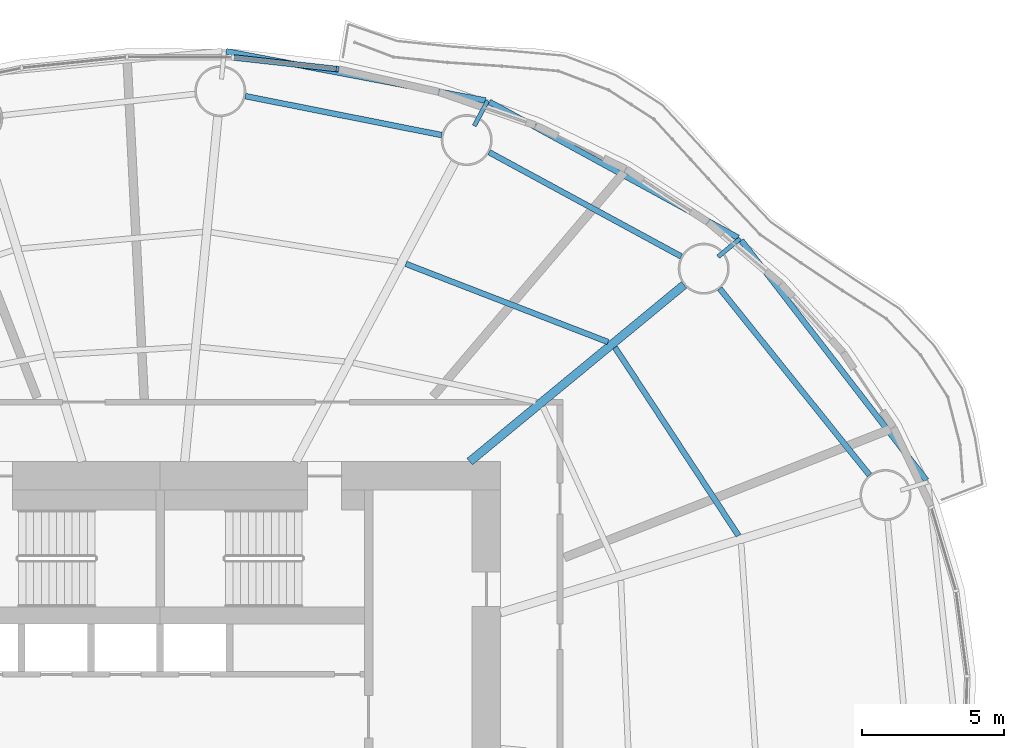
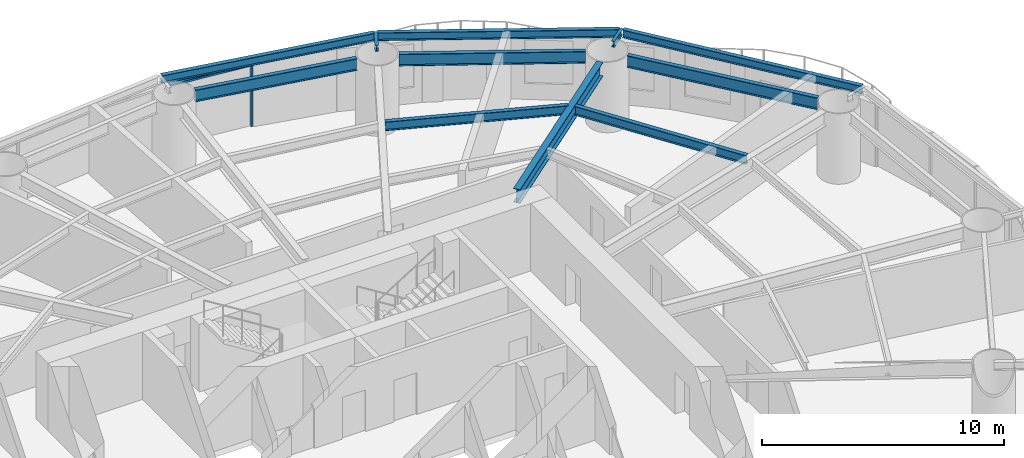
# One storey, part 6 of 16: 11 beams, 2 members, 1 element without a shape of its own.
"""IFC4 building model written with IfcOpenShell, lengths in metres."""

import ifcopenshell
import ifcopenshell.guid

model = None  # the IFC model being written
_history = None  # IfcOwnerHistory: only IFC2X3 demands one
_inside = {}  # id of a spatial element -> (the spatial element, [elements in it])
_under = {}  # id of a project, library or spatial element -> (it, [spatial elements below it])
_declared = {}  # id of a project -> (the project, [libraries it declares])
_typed = {}  # id of a type object -> (the type object, [elements of that type])
_made_of = {}  # id of a material, layer set ... -> (it, [elements and type objects made of it])


def new_model(schema):
    """Start an empty IFC model of exactly this schema.

    Asked for "IFC4X3", IfcOpenShell would pick the latest addendum, in which some entities
    have other attributes; the version numbers below select the first issue.
    IFC2X3 requires an IfcOwnerHistory on every rooted entity: one is made here for all.
    """
    global model, _history
    if schema == "IFC4X3":
        model = ifcopenshell.file(schema_version=(4, 3, 0, 0))
    else:
        model = ifcopenshell.file(schema=schema)
    _inside.clear()
    _under.clear()
    _declared.clear()
    _typed.clear()
    _made_of.clear()
    _history = None
    if model.schema == "IFC2X3":
        org = make("IfcOrganization", Name="unknown")
        user = make(
            "IfcPersonAndOrganization",
            ThePerson=make("IfcPerson", FamilyName="unknown"),
            TheOrganization=org,
        )
        app = make(
            "IfcApplication",
            ApplicationDeveloper=org,
            Version="unknown",
            ApplicationFullName="unknown",
            ApplicationIdentifier="unknown",
        )
        _history = make(
            "IfcOwnerHistory",
            OwningUser=user,
            OwningApplication=app,
            ChangeAction="ADDED",
            CreationDate=0,
        )
    return model


def make(cls, **values):
    """One entity of the class cls with the attributes given. An attribute that is None is left unset."""
    return model.create_entity(
        cls, **{name: value for name, value in values.items() if value is not None}
    )


def rooted(cls, **values):
    """An entity with a GlobalId (a new one), such as an element, a storey or a relation."""
    return make(cls, GlobalId=ifcopenshell.guid.new(), OwnerHistory=_history, **values)


def si_unit(unit_type, name, prefix=None):
    """IfcSIUnit, for example si_unit("LENGTHUNIT", "METRE", prefix="MILLI")."""
    return make("IfcSIUnit", UnitType=unit_type, Prefix=prefix, Name=name)


def assignment(units):
    """IfcUnitAssignment: the units of a project."""
    return None if units is None else make("IfcUnitAssignment", Units=units)


def point(xyz):
    """IfcCartesianPoint."""
    return None if xyz is None else make("IfcCartesianPoint", Coordinates=xyz)


def direction(xyz):
    """IfcDirection."""
    return None if xyz is None else make("IfcDirection", DirectionRatios=xyz)


def frame(location, z_axis=None, x_axis=None):
    """IfcAxis2Placement3D, a coordinate frame: its origin and axes. An axis left out is left unset."""
    return make(
        "IfcAxis2Placement3D",
        Location=point(location),
        Axis=direction(z_axis),
        RefDirection=direction(x_axis),
    )


def frame_2d(location, x_axis=None):
    """IfcAxis2Placement2D, a coordinate frame in the plane: its origin and x axis."""
    return make(
        "IfcAxis2Placement2D", Location=point(location), RefDirection=direction(x_axis)
    )


def origin():
    """The frame at (0, 0, 0) with its axes left unset."""
    return frame((0.0, 0.0, 0.0))


def origin_2d():
    """The frame at (0, 0) in the plane with its x axis left unset."""
    return frame_2d((0.0, 0.0))


def place(relative_to, where):
    """IfcLocalPlacement: puts the frame where relative to a parent placement (None: the world)."""
    return make(
        "IfcLocalPlacement", PlacementRelTo=relative_to, RelativePlacement=where
    )


def context(
    kind, dimensions, precision=None, world=None, true_north=None, identifier=None
):
    """IfcGeometricRepresentationContext, for example the 3D "Model" context."""
    return make(
        "IfcGeometricRepresentationContext",
        ContextIdentifier=identifier,
        ContextType=kind,
        CoordinateSpaceDimension=dimensions,
        Precision=precision,
        WorldCoordinateSystem=world,
        TrueNorth=true_north,
    )


def subcontext(parent, identifier, kind, view, scale=None):
    """IfcGeometricRepresentationSubContext, for example "Body" below "Model"."""
    return make(
        "IfcGeometricRepresentationSubContext",
        ContextIdentifier=identifier,
        ContextType=kind,
        ParentContext=parent,
        TargetScale=scale,
        TargetView=view,
    )


def project(units=None, contexts=None):
    """IfcProject with its units and contexts."""
    return rooted(
        "IfcProject",
        Name="project",
        RepresentationContexts=contexts,
        UnitsInContext=assignment(units),
    )


def spatial(cls, under=None, at=None, **own):
    """A site, building, storey or space (cls), placed at a placement, below another one or the project."""
    s = rooted(cls, ObjectPlacement=at, **own)
    if under is not None:
        _under.setdefault(under.id(), (under, []))[1].append(s)
    return s


def profile(cls, at=None, kind="AREA", **sizes):
    """A parametric profile (cls). Its sizes go by their IFC names, for example OverallWidth=200.0."""
    return make(cls, ProfileType=kind, Position=at, **sizes)


def rectangle(**sizes):
    """IfcRectangleProfileDef."""
    return profile("IfcRectangleProfileDef", **sizes)


def i_section(**sizes):
    """IfcIShapeProfileDef."""
    return profile("IfcIShapeProfileDef", **sizes)


def extrude(swept, where, along, depth):
    """IfcExtrudedAreaSolid: the profile swept, set in the frame where, extruded along a direction by depth."""
    return make(
        "IfcExtrudedAreaSolid",
        SweptArea=swept,
        Position=where,
        ExtrudedDirection=direction(along),
        Depth=depth,
    )


def shape(context_of_items, identifier, shape_type, items):
    """IfcShapeRepresentation: the items that make up one representation, for example the "Body"."""
    return make(
        "IfcShapeRepresentation",
        ContextOfItems=context_of_items,
        RepresentationIdentifier=identifier,
        RepresentationType=shape_type,
        Items=items,
    )


def material(Name=None, Category=None):
    """IfcMaterial."""
    return make("IfcMaterial", Name=Name, Category=Category)


def material_profile(
    of_material, cross_section, Name=None, Category=None, Priority=None
):
    """IfcMaterialProfile: a cross section and its material."""
    return make(
        "IfcMaterialProfile",
        Name=Name,
        Material=of_material,
        Profile=cross_section,
        Priority=Priority,
        Category=Category,
    )


def profile_set(profiles, Name=None, composite=None):
    """IfcMaterialProfileSet."""
    return make(
        "IfcMaterialProfileSet",
        Name=Name,
        MaterialProfiles=profiles,
        CompositeProfile=composite,
    )


def made_of(thing, what):
    """Note that an element or type object is made of a material, layer set ...; save() writes the relation."""
    if what is not None:
        _made_of.setdefault(what.id(), (what, []))[1].append(thing)
    return thing


def type_object(cls, material=None, **own):
    """A type object (cls), such as IfcWallType, which elements share."""
    return made_of(rooted(cls, **own), material)


def element(
    cls,
    number,
    at=None,
    inside=None,
    cuts=None,
    type_object=None,
    material=None,
    context=None,
    identifier="Body",
    shape_type=None,
    held_by="IfcProductDefinitionShape",
    body=None,
    shapes=None,
    **own,
):
    """One element of the class cls, such as IfcWall. Its Tag is "e" and its number.

    at: its placement. inside: the storey or other place that contains it. cuts: it is an
    opening in that element (IfcRelVoidsElement). A single representation is given by context,
    identifier, shape_type and body (its items); several are given by shapes. held_by: the class
    of the entity that holds the representations. save() writes the other relations.
    """
    e = rooted(cls, Tag="e%d" % number, ObjectPlacement=at, **own)
    if body is not None:
        shapes = [shape(context, identifier, shape_type, body)]
    if shapes is not None:
        e.Representation = make(held_by, Representations=shapes)
    if inside is not None:
        _inside.setdefault(inside.id(), (inside, []))[1].append(e)
    if cuts is not None:
        rooted(
            "IfcRelVoidsElement", RelatingBuildingElement=cuts, RelatedOpeningElement=e
        )
    if type_object is not None:
        _typed.setdefault(type_object.id(), (type_object, []))[1].append(e)
    return made_of(e, material)


def aggregate(whole, parts):
    """IfcRelAggregates: a whole, such as a stair, and the parts it consists of."""
    return rooted("IfcRelAggregates", RelatingObject=whole, RelatedObjects=parts)


def save(model, path):
    """Write the relations noted so far, then the file.

    IfcRelAggregates (storeys below a building ...), IfcRelContainedInSpatialStructure (elements
    in a storey), IfcRelDefinesByType, IfcRelAssociatesMaterial and IfcRelDeclares: one each for
    every whole, place, type object, material and project.
    """
    for whole, parts in _under.values():
        aggregate(whole, parts)
    for where, things in _inside.values():
        rooted(
            "IfcRelContainedInSpatialStructure",
            RelatedElements=things,
            RelatingStructure=where,
        )
    for kind, things in _typed.values():
        rooted("IfcRelDefinesByType", RelatedObjects=things, RelatingType=kind)
    for what, things in _made_of.values():
        rooted("IfcRelAssociatesMaterial", RelatedObjects=things, RelatingMaterial=what)
    for by, libraries in _declared.values():
        rooted("IfcRelDeclares", RelatingContext=by, RelatedDefinitions=libraries)
    model.write(path)


model = new_model("IFC4")

# Units and contexts
model_context = context("Model", 3, precision=1e-05, world=origin(), true_north=direction((0.0, 1.0)))
body_context = subcontext(model_context, "Body", "Model", "MODEL_VIEW")
ifc_project = project(units=[si_unit("LENGTHUNIT", "METRE"), si_unit("AREAUNIT", "SQUARE_METRE"), si_unit("VOLUMEUNIT", "CUBIC_METRE"), si_unit("PLANEANGLEUNIT", "RADIAN"), si_unit("MASSUNIT", "GRAM", prefix="KILO")], contexts=[model_context])

# Site, building, storey
site_placement = place(None, origin())
site = spatial("IfcSite", under=ifc_project, at=site_placement, CompositionType="ELEMENT")
building_placement = place(site_placement, origin())
building = spatial("IfcBuilding", under=site, at=building_placement, Name="Vermilion Reach Broadcast Tower", CompositionType="ELEMENT")
storey_placement = place(building_placement, frame((0.0, 0.0, 47.10009765625)))
storey = spatial("IfcBuildingStorey", under=building, at=storey_placement, Name="L08", CompositionType="ELEMENT", Elevation=47.10009765625)

# Beams
ifc_material_1 = material(Name="Steel S355J2", Category="steel")
ifc_material_profile_1 = material_profile(ifc_material_1, i_section(OverallWidth=0.199951171875, OverallDepth=0.39990234375, WebThickness=0.008056640625, FlangeThickness=0.012939453125, at=origin_2d()), Name="S355J2 HN 400x200x8x13")
ifc_profile_set_1 = profile_set([ifc_material_profile_1], Name="Steel S355J2")
beam_type_1 = type_object("IfcBeamType", Name="EB1 HN 400x200x8x13", PredefinedType="BEAM", material=ifc_profile_set_1)
beam_1_placement = place(storey_placement, frame((21.01708984375, 8.343505859375, 3.349853515625), z_axis=(-0.610950413768, 0.791668865067, 0.0), x_axis=(-0.791668865067, -0.610950413768, 0.0)))
element("IfcBeam", 1, at=beam_1_placement, inside=storey, type_object=beam_type_1, Name="Edge beam EB1-01", PredefinedType="BEAM", context=body_context, shape_type="SweptSolid", body=[
    extrude(i_section(OverallWidth=0.199951171875, OverallDepth=0.39990234375, WebThickness=0.008056640625, FlangeThickness=0.012939453125, at=origin_2d()), origin(), (0.0, 0.0, 1.0), 10.681884765625),
])
beam_2_placement = place(storey_placement, frame((14.3740234375, 16.898193359375, 3.349853515625), z_axis=(-0.877630085562, 0.479338536856, 0.0), x_axis=(-0.479338536856, -0.877630085562, 0.0)))
element("IfcBeam", 2, at=beam_2_placement, inside=storey, type_object=beam_type_1, Name="Edge beam EB1-02", PredefinedType="BEAM", context=body_context, shape_type="SweptSolid", body=[
    extrude(i_section(OverallWidth=0.199951171875, OverallDepth=0.39990234375, WebThickness=0.008056640625, FlangeThickness=0.012939453125, at=origin_2d()), origin(), (0.0, 0.0, 1.0), 9.98583984375),
])
beam_3_placement = place(storey_placement, frame((5.467041015625, 21.7353515625, 3.349853515625), z_axis=(-0.982477324546, 0.186382152453, 0.0), x_axis=(-0.186382152453, -0.982477324546, 0.0)))
element("IfcBeam", 3, at=beam_3_placement, inside=storey, type_object=beam_type_1, Name="Edge beam EB1-03", PredefinedType="BEAM", context=body_context, shape_type="SweptSolid", body=[
    extrude(i_section(OverallWidth=0.199951171875, OverallDepth=0.39990234375, WebThickness=0.008056640625, FlangeThickness=0.012939453125, at=origin_2d()), origin(), (0.0, 0.0, 1.0), 9.298828125),
])
ifc_material_2 = material(Name="Steel S355J2", Category="steel")
ifc_material_profile_2 = material_profile(ifc_material_2, i_section(OverallWidth=0.300048828125, OverallDepth=0.699951171875, WebThickness=0.012939453125, FlangeThickness=0.02392578125, at=origin_2d()), Name="S355J2 HN 700x300x13x24")
ifc_profile_set_2 = profile_set([ifc_material_profile_2], Name="Steel S355J2")
beam_type_2 = type_object("IfcBeamType", Name="G1 HN 700x300x13x24", PredefinedType="BEAM", material=ifc_profile_set_2)
beam_4_placement = place(storey_placement, frame((4.9140625, 9.0, 3.199951171875), z_axis=(0.771514256373, 0.636212034005, 0.0), x_axis=(-0.636212034005, 0.771514256373, 0.0)))
element("IfcBeam", 4, at=beam_4_placement, inside=storey, type_object=beam_type_2, Name="Girder G1-02", PredefinedType="BEAM", context=body_context, shape_type="SweptSolid", body=[
    extrude(i_section(OverallWidth=0.300048828125, OverallDepth=0.699951171875, WebThickness=0.012939453125, FlangeThickness=0.02392578125, at=origin_2d()), origin(), (0.0, 0.0, 1.0), 9.796142578125),
])
ifc_material_3 = material(Name="Steel S355J2", Category="steel")
ifc_material_profile_3 = material_profile(ifc_material_3, i_section(OverallWidth=0.14990234375, OverallDepth=0.300048828125, WebThickness=0.006591796875, FlangeThickness=0.009033203125, at=origin_2d()), Name="S355J2 HN 300x150x6.5x9")
ifc_profile_set_3 = profile_set([ifc_material_profile_3], Name="Steel S355J2")
beam_type_3 = type_object("IfcBeamType", Name="GS1 HN 300x150x6.5x9", PredefinedType="BEAM", material=ifc_profile_set_3)
for number, where, z_axis, x_axis, name in (
    (5, (13.673583984375, 16.223388671875, 3.39990234375), (0.771493112118, 0.636237674108, 0.0), (-0.636237674108, 0.771493112118, 0.0), "Cantilever stub GS1-02"),
    (6, (5.074951171875, 20.837646484375, 3.39990234375), (0.469244476458, 0.883068299348, 0.0), (-0.883068299348, 0.469244476458, 0.0), "Cantilever stub GS1-03"),
):
    element("IfcBeam", number, at=place(storey_placement, frame(where, z_axis=z_axis, x_axis=x_axis)), inside=storey, type_object=beam_type_3, Name=name, PredefinedType="BEAM", context=body_context, shape_type="SweptSolid", body=[
        extrude(i_section(OverallWidth=0.14990234375, OverallDepth=0.300048828125, WebThickness=0.006591796875, FlangeThickness=0.009033203125, at=origin_2d()), origin(), (0.0, 0.0, 1.0), 1.0),
    ])
ifc_material_4 = material(Name="Steel S355J2", Category="steel")
ifc_material_profile_4 = material_profile(ifc_material_4, i_section(OverallWidth=0.199951171875, OverallDepth=0.60009765625, WebThickness=0.010986328125, FlangeThickness=0.01708984375, at=origin_2d()), Name="S355J2 HN 600x200x11x17")
ifc_profile_set_4 = profile_set([ifc_material_profile_4], Name="Steel S355J2")
beam_type_4 = type_object("IfcBeamType", Name="RB1 HN 600x200x11x17", PredefinedType="BEAM", material=ifc_profile_set_4)
beam_5_placement = place(storey_placement, frame((19.011962890625, 8.52587890625, 3.25), z_axis=(-0.626162157191, 0.779692858055, 0.0), x_axis=(-0.779692858055, -0.626162157191, 0.0)))
element("IfcBeam", 7, at=beam_5_placement, inside=storey, type_object=beam_type_4, Name="Ring beam RB1-01", PredefinedType="BEAM", context=body_context, shape_type="SweptSolid", body=[
    extrude(i_section(OverallWidth=0.199951171875, OverallDepth=0.60009765625, WebThickness=0.010986328125, FlangeThickness=0.01708984375, at=origin_2d()), origin(), (0.0, 0.0, 1.0), 8.435791015625),
])
beam_6_placement = place(storey_placement, frame((12.375244140625, 16.234130859375, 3.25), z_axis=(-0.878962319551, 0.476891225344, 0.0), x_axis=(-0.476891225344, -0.878962319551, 0.0)))
element("IfcBeam", 8, at=beam_6_placement, inside=storey, type_object=beam_type_4, Name="Ring beam RB1-02", PredefinedType="BEAM", context=body_context, shape_type="SweptSolid", body=[
    extrude(i_section(OverallWidth=0.199951171875, OverallDepth=0.60009765625, WebThickness=0.010986328125, FlangeThickness=0.01708984375, at=origin_2d()), origin(), (0.0, 0.0, 1.0), 7.707275390625),
])
beam_7_placement = place(storey_placement, frame((3.927001953125, 20.51416015625, 3.25), z_axis=(-0.980857717995, 0.194725799651, 0.0), x_axis=(-0.194725799651, -0.980857717995, 0.0)))
element("IfcBeam", 9, at=beam_7_placement, inside=storey, type_object=beam_type_4, Name="Ring beam RB1-03", PredefinedType="BEAM", context=body_context, shape_type="SweptSolid", body=[
    extrude(i_section(OverallWidth=0.199951171875, OverallDepth=0.60009765625, WebThickness=0.010986328125, FlangeThickness=0.01708984375, at=origin_2d()), origin(), (0.0, 0.0, 1.0), 7.05859375),
])
ifc_material_5 = material(Name="Steel S355J2", Category="steel")
ifc_material_profile_5 = material_profile(ifc_material_5, i_section(OverallWidth=0.199951171875, OverallDepth=0.449951171875, WebThickness=0.009033203125, FlangeThickness=0.013916015625, at=origin_2d()), Name="S355J2 HN 450x200x9x14")
ifc_profile_set_5 = profile_set([ifc_material_profile_5], Name="Steel S355J2")
beam_type_5 = type_object("IfcBeamType", Name="SB1 HN 450x200x9x14", PredefinedType="BEAM", material=ifc_profile_set_5)
beam_8_placement = place(storey_placement, frame((14.390625, 6.394775390625, 3.324951171875), z_axis=(-0.548800909102, 0.835953086105, 0.0), x_axis=(-0.835953086105, -0.548800909102, 0.0)))
element("IfcBeam", 10, at=beam_8_placement, inside=storey, type_object=beam_type_5, Name="Secondary beam SB1-01-2", PredefinedType="BEAM", context=body_context, shape_type="SweptSolid", body=[
    extrude(i_section(OverallWidth=0.199951171875, OverallDepth=0.449951171875, WebThickness=0.009033203125, FlangeThickness=0.013916015625, at=origin_2d()), origin(), (0.0, 0.0, 1.0), 7.935791015625),
])
beam_9_placement = place(storey_placement, frame((9.7919921875, 13.217041015625, 3.324951171875), z_axis=(-0.932680743753, 0.360702966765, 0.0), x_axis=(-0.360702966765, -0.932680743753, 0.0)))
element("IfcBeam", 11, at=beam_9_placement, inside=storey, type_object=beam_type_5, Name="Secondary beam SB1-02-2", PredefinedType="BEAM", context=body_context, shape_type="SweptSolid", body=[
    extrude(i_section(OverallWidth=0.199951171875, OverallDepth=0.449951171875, WebThickness=0.009033203125, FlangeThickness=0.013916015625, at=origin_2d()), origin(), (0.0, 0.0, 1.0), 7.646240234375),
])

# Curtain wall, members
ifc_material_6 = material(Name="Low-e laminated clear glass in aluminium frame", Category="aluminium")
curtain_wall_type = type_object("IfcCurtainWallType", Name="Slot curtain wall", PredefinedType="NOTDEFINED", material=ifc_material_6)
curtain_wall_placement = place(storey_placement, origin())
curtain_wall = element("IfcCurtainWall", 12, at=curtain_wall_placement, inside=storey, type_object=curtain_wall_type, Name="Slot curtain wall L08 10", PredefinedType="NOTDEFINED")
ifc_material_7 = material(Name="Anodised aluminium", Category="aluminium")
ifc_material_profile_6 = material_profile(ifc_material_7, rectangle(XDim=0.199951171875, YDim=0.080078125, at=origin_2d()), Name="Slot mullion 80 x 200")
ifc_profile_set_6 = profile_set([ifc_material_profile_6], Name="Anodised aluminium")
member_type_1 = type_object("IfcMemberType", Name="Slot mullion 80 x 200", PredefinedType="MULLION", material=ifc_profile_set_6)
member_1_placement = place(storey_placement, frame((0.24853515625, 22.841552734375, 0.0), z_axis=(0.0, 0.0, 1.0), x_axis=(-0.165409077285, -0.986225043868, 0.0)))
member_1 = element("IfcMember", 13, at=member_1_placement, type_object=member_type_1, Name="Slot mullion L08 10", PredefinedType="MULLION", context=body_context, shape_type="SweptSolid", body=[
    extrude(rectangle(XDim=0.199951171875, YDim=0.080078125, at=origin_2d()), origin(), (0.0, 0.0, 1.0), 3.14990234375),
])
ifc_material_8 = material(Name="Anodised aluminium", Category="aluminium")
ifc_material_profile_7 = material_profile(ifc_material_8, rectangle(XDim=0.199951171875, YDim=0.10009765625, at=origin_2d()), Name="Slot transom 200 x 100")
ifc_profile_set_7 = profile_set([ifc_material_profile_7], Name="Anodised aluminium")
member_type_2 = type_object("IfcMemberType", Name="Slot transom 200 x 100", PredefinedType="USERDEFINED", material=ifc_profile_set_7)
member_2_placement = place(storey_placement, frame((0.208740234375, 22.845947265625, 3.099853515625), z_axis=(-0.9938097025, 0.111095792971, 0.0), x_axis=(-0.111095792971, -0.9938097025, 0.0)))
member_2 = element("IfcMember", 14, at=member_2_placement, type_object=member_type_2, Name="Slot transom L08 10.1", ObjectType="TRANSOM", PredefinedType="USERDEFINED", context=body_context, shape_type="SweptSolid", body=[
    extrude(rectangle(XDim=0.199951171875, YDim=0.10009765625, at=origin_2d()), origin(), (0.0, 0.0, 1.0), 3.63037109375),
])
aggregate(curtain_wall, [member_1, member_2])

save(model, "model.ifc")
